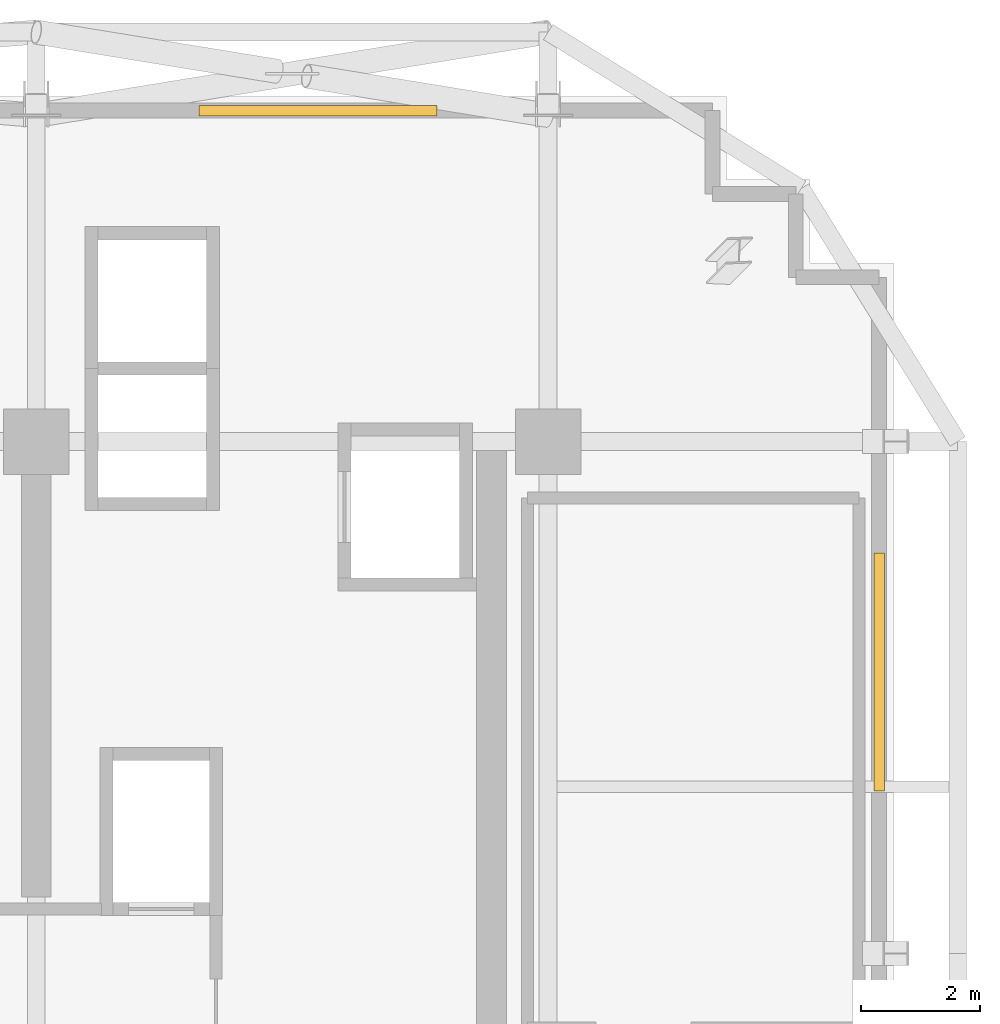
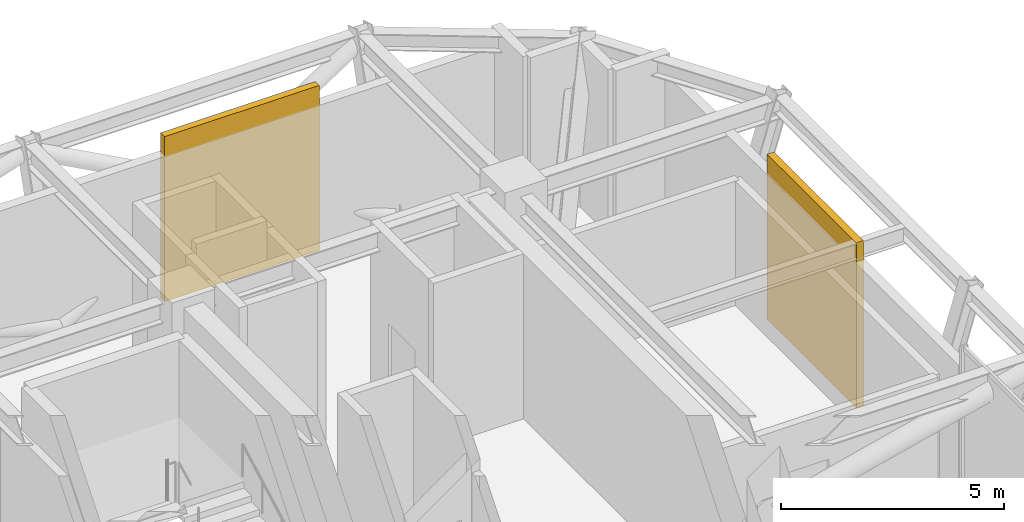
# One storey, part 16 of 16: 2 shading devices.
"""IFC4 building model written with IfcOpenShell, lengths in metres."""

from ifc_helpers import new_model, si_unit, direction, frame, origin, origin_2d, place, context, subcontext, project, spatial, rectangle, extrude, source, transform, mapped, material, layer, layer_set, type_object, element, save


model = new_model("IFC4")

# Units and contexts
model_context = context("Model", 3, precision=1e-05, world=origin(), true_north=direction((0.0, 1.0)))
body_context = subcontext(model_context, "Body", "Model", "MODEL_VIEW")
ifc_project = project(units=[si_unit("LENGTHUNIT", "METRE"), si_unit("AREAUNIT", "SQUARE_METRE"), si_unit("VOLUMEUNIT", "CUBIC_METRE"), si_unit("PLANEANGLEUNIT", "RADIAN"), si_unit("MASSUNIT", "GRAM", prefix="KILO")], contexts=[model_context])

# Site, building, storey
site_placement = place(None, origin())
site = spatial("IfcSite", under=ifc_project, at=site_placement, CompositionType="ELEMENT")
building_placement = place(site_placement, origin())
building = spatial("IfcBuilding", under=site, at=building_placement, Name="Nahalor Promenade Grand Hotel", CompositionType="ELEMENT")
storey_placement = place(building_placement, frame((0.0, 0.0, 200.10009765625)))
storey = spatial("IfcBuildingStorey", under=building, at=storey_placement, Name="L51", CompositionType="ELEMENT", Elevation=200.10009765625)

# Shading devices
ifc_material = material(Name="Anodised Bronze Aluminium EN AW-6063 T6", Category="aluminium")
ifc_layer = layer(ifc_material, 0.179931640625)
ifc_layer_set = layer_set([ifc_layer], Name="Anodised Bronze Aluminium EN AW-6063 T6")
shading_device_type = type_object("IfcShadingDeviceType", Name="Shade-PlantLouvre-Bronze", PredefinedType="USERDEFINED", material=ifc_layer_set)
shared_shape = source(origin(), body_context, "Body", "SweptSolid", [
    extrude(rectangle(XDim=4.0, YDim=0.179931640625, at=origin_2d()), origin(), (0.0, 0.0, 1.0), 4.510009765625),
])
for number, where, z_axis, x_axis, name in (
    (1, (13.1298828125, 22.56005859375, 0.0), (0.0, 0.0, 1.0), (1.0, 0.0, 0.0), "LV-L51-NR"),
    (2, (22.56005859375, 13.1298828125, 0.0), (0.0, 0.0, 1.0), (0.0, 1.0, 0.0), "LV-L51-ER"),
):
    element("IfcShadingDevice", number, at=place(storey_placement, frame(where, z_axis=z_axis, x_axis=x_axis)), inside=storey, type_object=shading_device_type, Name=name, ObjectType="LOUVRE", PredefinedType="USERDEFINED", context=body_context, shape_type="MappedRepresentation", body=[
        mapped(shared_shape, transform((0.0, 0.0, 0.0), scale=1.0)),
    ])

save(model, "model.ifc")
